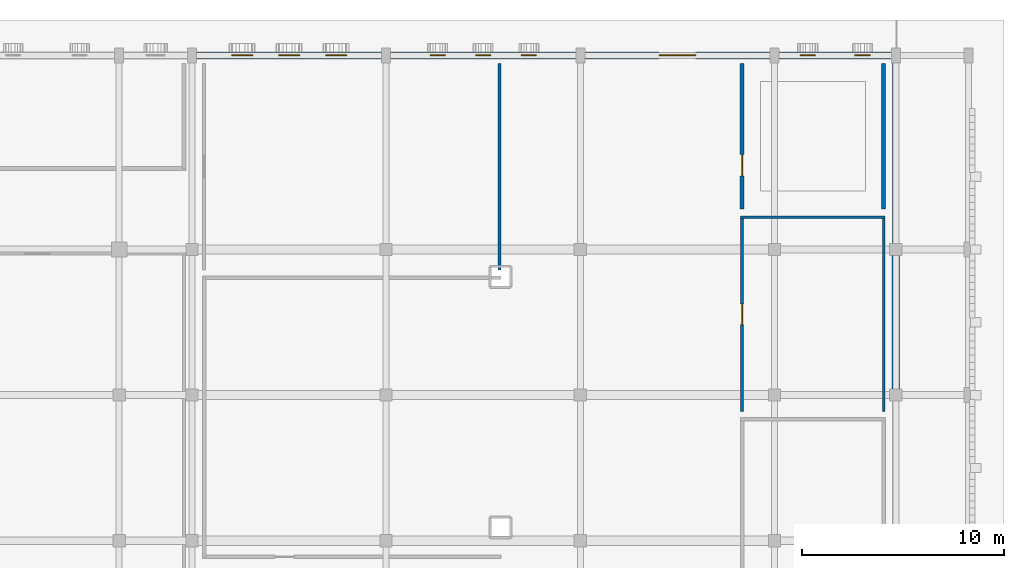
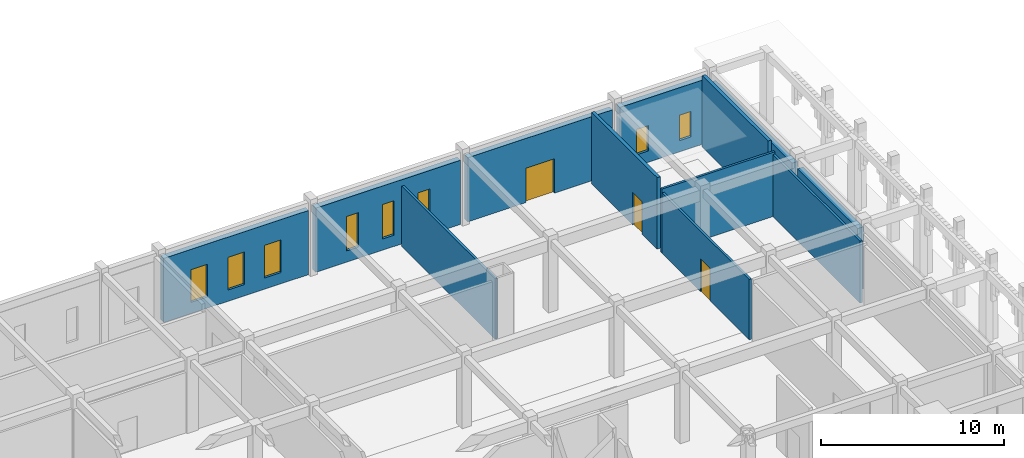
# One storey, part 44 of 72: 12 walls, 8 windows, 3 doors, 11 openings.
"""IFC4 building model written with IfcOpenShell, lengths in metres."""

from ifc_helpers import new_model, si_unit, direction, frame, frame_2d, origin, place, context, subcontext, project, spatial, rectangle, extrude, material, layer, layer_set, type_object, element, fill, save


model = new_model("IFC4")

# Units and contexts
model_context = context("Model", 3, precision=1e-05, world=origin(), true_north=direction((0.0, 1.0)))
body_context = subcontext(model_context, "Body", "Model", "MODEL_VIEW")
ifc_project = project(units=[si_unit("LENGTHUNIT", "METRE"), si_unit("AREAUNIT", "SQUARE_METRE"), si_unit("VOLUMEUNIT", "CUBIC_METRE"), si_unit("PLANEANGLEUNIT", "RADIAN"), si_unit("MASSUNIT", "GRAM", prefix="KILO")], contexts=[model_context])

# Site, building, storey
site_placement = place(None, origin())
site = spatial("IfcSite", under=ifc_project, at=site_placement, CompositionType="ELEMENT")
building_placement = place(site_placement, origin())
building = spatial("IfcBuilding", under=site, at=building_placement, Name="Nzembalo Square Collegiate School", CompositionType="ELEMENT")
storey_placement = place(building_placement, origin())
storey = spatial("IfcBuildingStorey", under=building, at=storey_placement, Name="L00", CompositionType="ELEMENT", Elevation=0.0)

# Wall, openings, windows
ifc_material_1 = material(Name="Concrete C35/45", Category="concrete")
ifc_layer_1 = layer(ifc_material_1, 0.360107421875, Name="Concrete C35/45")
ifc_layer_set_1 = layer_set([ifc_layer_1], Name="Concrete C35/45")
wall_type_1 = type_object("IfcWallType", Name="W01", PredefinedType="SOLIDWALL", material=ifc_layer_set_1)
wall_1_placement = place(storey_placement, frame((140.626953125, 114.0, 0.0), z_axis=(0.0, 0.0, 1.0), x_axis=(1.0, 0.0, 0.0)))
wall_1 = element("IfcWall", 1, at=wall_1_placement, inside=storey, type_object=wall_type_1, Name="Exterior wall W01 L00", PredefinedType="SOLIDWALL", context=body_context, shape_type="SweptSolid", body=[
    extrude(rectangle(XDim=9.14599609375, YDim=0.360107421875, at=frame_2d((4.572998046875, 0.0))), origin(), (0.0, 0.0, 1.0), 4.283935546875),
])
opening_1_placement = place(wall_1_placement, frame((1.944091796875, 0.0, 0.75)))
opening_1 = element("IfcOpeningElement", 2, at=opening_1_placement, cuts=wall_1, Name="Opening WN-L00-148", PredefinedType="OPENING", context=body_context, shape_type="SweptSolid", body=[
    extrude(rectangle(XDim=0.75, YDim=2.300048828125, at=frame_2d((0.375, 1.14990234375))), frame((0.0, 0.18994140625, 0.0), z_axis=(0.0, -1.0, 0.0), x_axis=(1.0, 0.0, 0.0)), (0.0, 0.0, 1.0), 0.380126953125),
])
opening_2_placement = place(wall_1_placement, frame((4.197998046875, 0.0, 0.75)))
opening_2 = element("IfcOpeningElement", 3, at=opening_2_placement, cuts=wall_1, Name="Opening WN-L00-149", PredefinedType="OPENING", context=body_context, shape_type="SweptSolid", body=[
    extrude(rectangle(XDim=0.75, YDim=2.300048828125, at=frame_2d((0.375, 1.14990234375))), frame((0.0, 0.18994140625, 0.0), z_axis=(0.0, -1.0, 0.0), x_axis=(1.0, 0.0, 0.0)), (0.0, 0.0, 1.0), 0.380126953125),
])
opening_3_placement = place(wall_1_placement, frame((6.451904296875, 0.0, 0.75)))
opening_3 = element("IfcOpeningElement", 4, at=opening_3_placement, cuts=wall_1, Name="Opening WN-L00-150", PredefinedType="OPENING", context=body_context, shape_type="SweptSolid", body=[
    extrude(rectangle(XDim=0.75, YDim=2.300048828125, at=frame_2d((0.375, 1.14990234375))), frame((0.0, 0.18994140625, 0.0), z_axis=(0.0, -1.0, 0.0), x_axis=(1.0, 0.0, 0.0)), (0.0, 0.0, 1.0), 0.380126953125),
])
ifc_material_2 = material(Name="Powder-coated aluminium and low-E double glazing", Category="aluminium")
window_type_1 = type_object("IfcWindowType", Name="WN01", PartitioningType="SINGLE_PANEL", PredefinedType="WINDOW", material=ifc_material_2)
window_1_placement = place(opening_1_placement, origin())
window_1 = element("IfcWindow", 5, at=window_1_placement, inside=storey, type_object=window_type_1, Name="Lancet window WN-L00-148", OverallHeight=2.300048828125, OverallWidth=0.75, PartitioningType="SINGLE_PANEL", PredefinedType="WINDOW", context=body_context, shape_type="SweptSolid", body=[
    extrude(rectangle(XDim=0.75, YDim=2.300048828125, at=frame_2d((0.375, 1.14990234375))), frame((0.0, 0.030029296875, 0.0), z_axis=(0.0, -1.0, 0.0), x_axis=(1.0, 0.0, 0.0)), (0.0, 0.0, 1.0), 0.06005859375),
])
fill(opening_1, window_1)
window_2_placement = place(opening_2_placement, origin())
window_2 = element("IfcWindow", 6, at=window_2_placement, inside=storey, type_object=window_type_1, Name="Lancet window WN-L00-149", OverallHeight=2.300048828125, OverallWidth=0.75, PartitioningType="SINGLE_PANEL", PredefinedType="WINDOW", context=body_context, shape_type="SweptSolid", body=[
    extrude(rectangle(XDim=0.75, YDim=2.300048828125, at=frame_2d((0.375, 1.14990234375))), frame((0.0, 0.030029296875, 0.0), z_axis=(0.0, -1.0, 0.0), x_axis=(1.0, 0.0, 0.0)), (0.0, 0.0, 1.0), 0.06005859375),
])
fill(opening_2, window_2)
window_3_placement = place(opening_3_placement, origin())
window_3 = element("IfcWindow", 7, at=window_3_placement, inside=storey, type_object=window_type_1, Name="Lancet window WN-L00-150", OverallHeight=2.300048828125, OverallWidth=0.75, PartitioningType="SINGLE_PANEL", PredefinedType="WINDOW", context=body_context, shape_type="SweptSolid", body=[
    extrude(rectangle(XDim=0.75, YDim=2.300048828125, at=frame_2d((0.375, 1.14990234375))), frame((0.0, 0.030029296875, 0.0), z_axis=(0.0, -1.0, 0.0), x_axis=(1.0, 0.0, 0.0)), (0.0, 0.0, 1.0), 0.06005859375),
])
fill(opening_3, window_3)

wall_2_placement = place(storey_placement, frame((159.826904296875, 114.0, 0.0), z_axis=(0.0, 0.0, 1.0), x_axis=(1.0, 0.0, 0.0)))
wall_2 = element("IfcWall", 8, at=wall_2_placement, inside=storey, type_object=wall_type_1, Name="Exterior wall W01 L00", PredefinedType="SOLIDWALL", context=body_context, shape_type="SweptSolid", body=[
    extrude(rectangle(XDim=5.546142578125, YDim=0.360107421875, at=frame_2d((2.77294921875, 0.0))), origin(), (0.0, 0.0, 1.0), 4.283935546875),
])
opening_4_placement = place(wall_2_placement, frame((1.0439453125, 0.0, 0.75)))
opening_4 = element("IfcOpeningElement", 9, at=opening_4_placement, cuts=wall_2, Name="Opening WN-L00-151", PredefinedType="OPENING", context=body_context, shape_type="SweptSolid", body=[
    extrude(rectangle(XDim=0.75, YDim=1.699951171875, at=frame_2d((0.375, 0.85009765625))), frame((0.0, 0.18994140625, 0.0), z_axis=(0.0, -1.0, 0.0), x_axis=(1.0, 0.0, 0.0)), (0.0, 0.0, 1.0), 0.380126953125),
])
opening_5_placement = place(wall_2_placement, frame((3.751953125, 0.0, 0.75)))
opening_5 = element("IfcOpeningElement", 10, at=opening_5_placement, cuts=wall_2, Name="Opening WN-L00-152", PredefinedType="OPENING", context=body_context, shape_type="SweptSolid", body=[
    extrude(rectangle(XDim=0.75, YDim=1.699951171875, at=frame_2d((0.375, 0.85009765625))), frame((0.0, 0.18994140625, 0.0), z_axis=(0.0, -1.0, 0.0), x_axis=(1.0, 0.0, 0.0)), (0.0, 0.0, 1.0), 0.380126953125),
])
ifc_material_3 = material(Name="Powder-coated aluminium and low-E double glazing", Category="aluminium")
window_type_2 = type_object("IfcWindowType", Name="WN04", PartitioningType="SINGLE_PANEL", PredefinedType="WINDOW", material=ifc_material_3)
window_4_placement = place(opening_4_placement, origin())
window_4 = element("IfcWindow", 11, at=window_4_placement, inside=storey, type_object=window_type_2, Name="Lancet window WN-L00-151", OverallHeight=1.699951171875, OverallWidth=0.75, PartitioningType="SINGLE_PANEL", PredefinedType="WINDOW", context=body_context, shape_type="SweptSolid", body=[
    extrude(rectangle(XDim=0.75, YDim=1.699951171875, at=frame_2d((0.375, 0.85009765625))), frame((0.0, 0.030029296875, 0.0), z_axis=(0.0, -1.0, 0.0), x_axis=(1.0, 0.0, 0.0)), (0.0, 0.0, 1.0), 0.06005859375),
])
fill(opening_4, window_4)
window_5_placement = place(opening_5_placement, origin())
window_5 = element("IfcWindow", 12, at=window_5_placement, inside=storey, type_object=window_type_2, Name="Lancet window WN-L00-152", OverallHeight=1.699951171875, OverallWidth=0.75, PartitioningType="SINGLE_PANEL", PredefinedType="WINDOW", context=body_context, shape_type="SweptSolid", body=[
    extrude(rectangle(XDim=0.75, YDim=1.699951171875, at=frame_2d((0.375, 0.85009765625))), frame((0.0, 0.030029296875, 0.0), z_axis=(0.0, -1.0, 0.0), x_axis=(1.0, 0.0, 0.0)), (0.0, 0.0, 1.0), 0.06005859375),
])
fill(opening_5, window_5)

# Wall
wall_3_placement = place(storey_placement, frame((165.60009765625, 97.501953125, 0.0), z_axis=(0.0, 0.0, 1.0), x_axis=(0.0, 1.0, 0.0)))
element("IfcWall", 13, at=wall_3_placement, inside=storey, type_object=wall_type_1, Name="Exterior wall W01 L00", PredefinedType="SOLIDWALL", context=body_context, shape_type="SweptSolid", body=[
    extrude(rectangle(XDim=6.595947265625, YDim=0.360107421875, at=frame_2d((3.2978515625, 0.0))), origin(), (0.0, 0.0, 1.0), 4.134033203125),
])

# Wall, openings, windows
ifc_material_4 = material(Name="Concrete C35/45", Category="concrete")
ifc_layer_2 = layer(ifc_material_4, 0.340087890625, Name="Concrete C35/45")
ifc_layer_set_2 = layer_set([ifc_layer_2], Name="Concrete C35/45")
wall_type_2 = type_object("IfcWallType", Name="W02", PredefinedType="SOLIDWALL", material=ifc_layer_set_2)
wall_4_placement = place(storey_placement, frame((131.027099609375, 114.0, 0.0), z_axis=(0.0, 0.0, 1.0), x_axis=(1.0, 0.0, 0.0)))
wall_4 = element("IfcWall", 14, at=wall_4_placement, inside=storey, type_object=wall_type_2, Name="Exterior wall W02 L00", PredefinedType="SOLIDWALL", context=body_context, shape_type="SweptSolid", body=[
    extrude(rectangle(XDim=9.14599609375, YDim=0.340087890625, at=frame_2d((4.572998046875, 0.0))), origin(), (0.0, 0.0, 1.0), 4.283935546875),
])
opening_6_placement = place(wall_4_placement, frame((1.7265625, 0.0, 0.75)))
opening_6 = element("IfcOpeningElement", 15, at=opening_6_placement, cuts=wall_4, Name="Opening WN-L00-143", PredefinedType="OPENING", context=body_context, shape_type="SweptSolid", body=[
    extrude(rectangle(XDim=1.0400390625, YDim=2.179931640625, at=frame_2d((0.52001953125, 1.08984375))), frame((0.0, 0.18017578125, 0.0), z_axis=(0.0, -1.0, 0.0), x_axis=(1.0, 0.0, 0.0)), (0.0, 0.0, 1.0), 0.360107421875),
])
opening_7_placement = place(wall_4_placement, frame((4.052978515625, 0.0, 0.75)))
opening_7 = element("IfcOpeningElement", 16, at=opening_7_placement, cuts=wall_4, Name="Opening WN-L00-144", PredefinedType="OPENING", context=body_context, shape_type="SweptSolid", body=[
    extrude(rectangle(XDim=1.0400390625, YDim=2.179931640625, at=frame_2d((0.52001953125, 1.08984375))), frame((0.0, 0.18017578125, 0.0), z_axis=(0.0, -1.0, 0.0), x_axis=(1.0, 0.0, 0.0)), (0.0, 0.0, 1.0), 0.360107421875),
])
opening_8_placement = place(wall_4_placement, frame((6.37939453125, 0.0, 0.75)))
opening_8 = element("IfcOpeningElement", 17, at=opening_8_placement, cuts=wall_4, Name="Opening WN-L00-145", PredefinedType="OPENING", context=body_context, shape_type="SweptSolid", body=[
    extrude(rectangle(XDim=1.0400390625, YDim=2.179931640625, at=frame_2d((0.52001953125, 1.08984375))), frame((0.0, 0.18017578125, 0.0), z_axis=(0.0, -1.0, 0.0), x_axis=(1.0, 0.0, 0.0)), (0.0, 0.0, 1.0), 0.360107421875),
])
ifc_material_5 = material(Name="Powder-coated aluminium and low-E double glazing", Category="aluminium")
window_type_3 = type_object("IfcWindowType", Name="WN70", PartitioningType="SINGLE_PANEL", PredefinedType="WINDOW", material=ifc_material_5)
window_6_placement = place(opening_6_placement, origin())
window_6 = element("IfcWindow", 18, at=window_6_placement, inside=storey, type_object=window_type_3, Name="Lancet window WN-L00-143", OverallHeight=2.179931640625, OverallWidth=1.0400390625, PartitioningType="SINGLE_PANEL", PredefinedType="WINDOW", context=body_context, shape_type="SweptSolid", body=[
    extrude(rectangle(XDim=1.0400390625, YDim=2.179931640625, at=frame_2d((0.52001953125, 1.08984375))), frame((0.0, 0.030029296875, 0.0), z_axis=(0.0, -1.0, 0.0), x_axis=(1.0, 0.0, 0.0)), (0.0, 0.0, 1.0), 0.06005859375),
])
fill(opening_6, window_6)
window_7_placement = place(opening_7_placement, origin())
window_7 = element("IfcWindow", 19, at=window_7_placement, inside=storey, type_object=window_type_3, Name="Lancet window WN-L00-144", OverallHeight=2.179931640625, OverallWidth=1.0400390625, PartitioningType="SINGLE_PANEL", PredefinedType="WINDOW", context=body_context, shape_type="SweptSolid", body=[
    extrude(rectangle(XDim=1.0400390625, YDim=2.179931640625, at=frame_2d((0.52001953125, 1.08984375))), frame((0.0, 0.030029296875, 0.0), z_axis=(0.0, -1.0, 0.0), x_axis=(1.0, 0.0, 0.0)), (0.0, 0.0, 1.0), 0.06005859375),
])
fill(opening_7, window_7)
window_8_placement = place(opening_8_placement, origin())
window_8 = element("IfcWindow", 20, at=window_8_placement, inside=storey, type_object=window_type_3, Name="Lancet window WN-L00-145", OverallHeight=2.179931640625, OverallWidth=1.0400390625, PartitioningType="SINGLE_PANEL", PredefinedType="WINDOW", context=body_context, shape_type="SweptSolid", body=[
    extrude(rectangle(XDim=1.0400390625, YDim=2.179931640625, at=frame_2d((0.52001953125, 1.08984375))), frame((0.0, 0.030029296875, 0.0), z_axis=(0.0, -1.0, 0.0), x_axis=(1.0, 0.0, 0.0)), (0.0, 0.0, 1.0), 0.06005859375),
])
fill(opening_8, window_8)

# Wall, opening, door
wall_5_placement = place(storey_placement, frame((150.22705078125, 114.0, 0.0), z_axis=(0.0, 0.0, 1.0), x_axis=(1.0, 0.0, 0.0)))
wall_5 = element("IfcWall", 21, at=wall_5_placement, inside=storey, type_object=wall_type_2, Name="Exterior wall W02 L00", PredefinedType="SOLIDWALL", context=body_context, shape_type="SweptSolid", body=[
    extrude(rectangle(XDim=9.14599609375, YDim=0.340087890625, at=frame_2d((4.572998046875, 0.0))), origin(), (0.0, 0.0, 1.0), 4.283935546875),
])
opening_9_placement = place(wall_5_placement, frame((3.673095703125, 0.0, 0.0)))
opening_9 = element("IfcOpeningElement", 22, at=opening_9_placement, cuts=wall_5, Name="Opening E12", PredefinedType="OPENING", context=body_context, shape_type="SweptSolid", body=[
    extrude(rectangle(XDim=1.800048828125, YDim=2.300048828125, at=frame_2d((0.89990234375, 1.14990234375))), frame((0.0, 0.18017578125, 0.0), z_axis=(0.0, -1.0, 0.0), x_axis=(1.0, 0.0, 0.0)), (0.0, 0.0, 1.0), 0.360107421875),
])
ifc_material_6 = material(Name="Powder-coated steel and safety glass", Category="steel")
door_type_1 = type_object("IfcDoorType", Name="ED02", OperationType="DOUBLE_DOOR_SINGLE_SWING", PredefinedType="DOOR", material=ifc_material_6)
door_1_placement = place(opening_9_placement, origin())
door_1 = element("IfcDoor", 23, at=door_1_placement, inside=storey, type_object=door_type_1, Name="Exterior door E12", OperationType="DOUBLE_DOOR_SINGLE_SWING", OverallHeight=2.300048828125, OverallWidth=1.800048828125, PredefinedType="DOOR", context=body_context, shape_type="SweptSolid", body=[
    extrude(rectangle(XDim=1.800048828125, YDim=2.300048828125, at=frame_2d((0.89990234375, 1.14990234375))), frame((0.0, 0.02490234375, 0.0), z_axis=(0.0, -1.0, 0.0), x_axis=(1.0, 0.0, 0.0)), (0.0, 0.0, 1.0), 0.050048828125),
])
fill(opening_9, door_1)

# Walls
wall_6_placement = place(storey_placement, frame((165.60009765625, 104.701904296875, 0.0), z_axis=(0.0, 0.0, 1.0), x_axis=(0.0, 1.0, 0.0)))
element("IfcWall", 24, at=wall_6_placement, inside=storey, type_object=wall_type_2, Name="Exterior wall W02 L00", PredefinedType="SOLIDWALL", context=body_context, shape_type="SweptSolid", body=[
    extrude(rectangle(XDim=8.921142578125, YDim=0.340087890625, at=frame_2d((4.46044921875, 0.0))), origin(), (0.0, 0.0, 1.0), 4.134033203125),
])
ifc_material_7 = material(Name="Acoustic double-board stud")
ifc_layer_3 = layer(ifc_material_7, 0.14990234375, Name="Acoustic double-board stud")
ifc_layer_set_3 = layer_set([ifc_layer_3], Name="Acoustic double-board stud")
wall_type_3 = type_object("IfcWallType", Name="W17", PredefinedType="PARTITIONING", material=ifc_layer_set_3)
wall_7_placement = place(storey_placement, frame((146.0, 103.39990234375, 0.0), z_axis=(0.0, 0.0, 1.0), x_axis=(0.0, 1.0, 0.0)))
element("IfcWall", 25, at=wall_7_placement, inside=storey, type_object=wall_type_3, Name="Interior partition W17 L00-053-E", PredefinedType="PARTITIONING", context=body_context, shape_type="SweptSolid", body=[
    extrude(rectangle(XDim=10.2001953125, YDim=0.14990234375, at=frame_2d((5.10009765625, 0.0))), origin(), (0.0, 0.0, 1.0), 4.033935546875),
])
ifc_material_8 = material(Name="Gypsum plasterboard stud")
ifc_layer_4 = layer(ifc_material_8, 0.139892578125, Name="Gypsum plasterboard stud")
ifc_layer_set_4 = layer_set([ifc_layer_4], Name="Gypsum plasterboard stud")
wall_type_4 = type_object("IfcWallType", Name="W18", PredefinedType="PARTITIONING", material=ifc_layer_set_4)
wall_8_placement = place(storey_placement, frame((157.929931640625, 106.0, 0.0), z_axis=(0.0, 0.0, 1.0), x_axis=(1.0, 0.0, 0.0)))
element("IfcWall", 26, at=wall_8_placement, inside=storey, type_object=wall_type_4, Name="Interior partition W18 L00-050-N", PredefinedType="PARTITIONING", context=body_context, shape_type="SweptSolid", body=[
    extrude(rectangle(XDim=7.14013671875, YDim=0.139892578125, at=frame_2d((3.570068359375, 0.0))), origin(), (0.0, 0.0, 1.0), 4.283935546875),
])

# Wall, opening, door
wall_9_placement = place(storey_placement, frame((158.0, 96.39990234375, 0.0), z_axis=(0.0, 0.0, 1.0), x_axis=(0.0, 1.0, 0.0)))
wall_9 = element("IfcWall", 27, at=wall_9_placement, inside=storey, type_object=wall_type_4, Name="Interior partition W18 L00-050-W", PredefinedType="PARTITIONING", context=body_context, shape_type="SweptSolid", body=[
    extrude(rectangle(XDim=9.60009765625, YDim=0.139892578125, at=frame_2d((4.800048828125, 0.0))), origin(), (0.0, 0.0, 1.0), 4.033935546875),
])
opening_10_placement = place(wall_9_placement, frame((4.2900390625, 0.0, 0.0)))
opening_10 = element("IfcOpeningElement", 28, at=opening_10_placement, cuts=wall_9, Name="Opening D-L00-028", PredefinedType="OPENING", context=body_context, shape_type="SweptSolid", body=[
    extrude(rectangle(XDim=1.02001953125, YDim=2.179931640625, at=frame_2d((0.510009765625, 1.08984375))), frame((0.0, 0.080078125, 0.0), z_axis=(0.0, -1.0, 0.0), x_axis=(1.0, 0.0, 0.0)), (0.0, 0.0, 1.0), 0.159912109375),
])
ifc_material_9 = material(Name="Faculty workroom door")
door_type_2 = type_object("IfcDoorType", Name="D16", OperationType="NOTDEFINED", PredefinedType="DOOR", material=ifc_material_9)
door_2_placement = place(opening_10_placement, origin())
door_2 = element("IfcDoor", 29, at=door_2_placement, inside=storey, type_object=door_type_2, Name="Interior door D-L00-028 (Central Staff Common Room)", OperationType="SINGLE_SWING_LEFT", OverallHeight=2.179931640625, OverallWidth=1.02001953125, PredefinedType="DOOR", context=body_context, shape_type="SweptSolid", body=[
    extrude(rectangle(XDim=1.02001953125, YDim=2.179931640625, at=frame_2d((0.510009765625, 1.08984375))), frame((0.0, 0.02490234375, 0.0), z_axis=(0.0, -1.0, 0.0), x_axis=(1.0, 0.0, 0.0)), (0.0, 0.0, 1.0), 0.050048828125),
])
fill(opening_10, door_2)

# Wall
wall_10_placement = place(storey_placement, frame((165.0, 96.39990234375, 0.0), z_axis=(0.0, 0.0, 1.0), x_axis=(0.0, 1.0, 0.0)))
element("IfcWall", 30, at=wall_10_placement, inside=storey, type_object=wall_type_4, Name="Interior partition W18 L00-050-E", PredefinedType="PARTITIONING", context=body_context, shape_type="SweptSolid", body=[
    extrude(rectangle(XDim=9.60009765625, YDim=0.139892578125, at=frame_2d((4.800048828125, 0.0))), origin(), (0.0, 0.0, 1.0), 4.134033203125),
])

# Wall, opening, door
ifc_material_10 = material(Name="Concrete blockwork C25/30", Category="masonry")
ifc_layer_5 = layer(ifc_material_10, 0.205078125, Name="Concrete blockwork C25/30")
ifc_layer_set_5 = layer_set([ifc_layer_5], Name="Concrete blockwork C25/30")
wall_type_5 = type_object("IfcWallType", Name="W21", PredefinedType="PARTITIONING", material=ifc_layer_set_5)
wall_11_placement = place(storey_placement, frame((158.0, 106.39990234375, 0.0), z_axis=(0.0, 0.0, 1.0), x_axis=(0.0, 1.0, 0.0)))
wall_11 = element("IfcWall", 31, at=wall_11_placement, inside=storey, type_object=wall_type_5, Name="Interior partition W21 L00-051-W", PredefinedType="PARTITIONING", context=body_context, shape_type="SweptSolid", body=[
    extrude(rectangle(XDim=7.2001953125, YDim=0.205078125, at=frame_2d((3.60009765625, 0.0))), origin(), (0.0, 0.0, 1.0), 4.77392578125),
])
opening_11_placement = place(wall_11_placement, frame((1.637451171875, 0.0, 0.0)))
opening_11 = element("IfcOpeningElement", 32, at=opening_11_placement, cuts=wall_11, Name="Opening D-L00-029", PredefinedType="OPENING", context=body_context, shape_type="SweptSolid", body=[
    extrude(rectangle(XDim=1.050048828125, YDim=2.14990234375, at=frame_2d((0.52490234375, 1.074951171875))), frame((0.0, 0.112548828125, 0.0), z_axis=(0.0, -1.0, 0.0), x_axis=(1.0, 0.0, 0.0)), (0.0, 0.0, 1.0), 0.22509765625),
])
ifc_material_11 = material(Name="Fire-rated steel store door", Category="steel")
door_type_3 = type_object("IfcDoorType", Name="FD03", OperationType="NOTDEFINED", PredefinedType="DOOR", material=ifc_material_11)
door_3_placement = place(opening_11_placement, origin())
door_3 = element("IfcDoor", 33, at=door_3_placement, inside=storey, type_object=door_type_3, Name="Interior door D-L00-029 (Executive Boardroom)", OperationType="SINGLE_SWING_RIGHT", OverallHeight=2.14990234375, OverallWidth=1.050048828125, PredefinedType="DOOR", context=body_context, shape_type="SweptSolid", body=[
    extrude(rectangle(XDim=1.050048828125, YDim=2.14990234375, at=frame_2d((0.52490234375, 1.074951171875))), frame((0.0, 0.02490234375, 0.0), z_axis=(0.0, -1.0, 0.0), x_axis=(1.0, 0.0, 0.0)), (0.0, 0.0, 1.0), 0.050048828125),
])
fill(opening_11, door_3)

# Wall
wall_12_placement = place(storey_placement, frame((165.0, 106.39990234375, 0.0), z_axis=(0.0, 0.0, 1.0), x_axis=(0.0, 1.0, 0.0)))
element("IfcWall", 34, at=wall_12_placement, inside=storey, type_object=wall_type_5, Name="Interior partition W21 L00-051-E", PredefinedType="PARTITIONING", context=body_context, shape_type="SweptSolid", body=[
    extrude(rectangle(XDim=7.2001953125, YDim=0.205078125, at=frame_2d((3.60009765625, 0.0))), origin(), (0.0, 0.0, 1.0), 4.77392578125),
])

save(model, "model.ifc")
